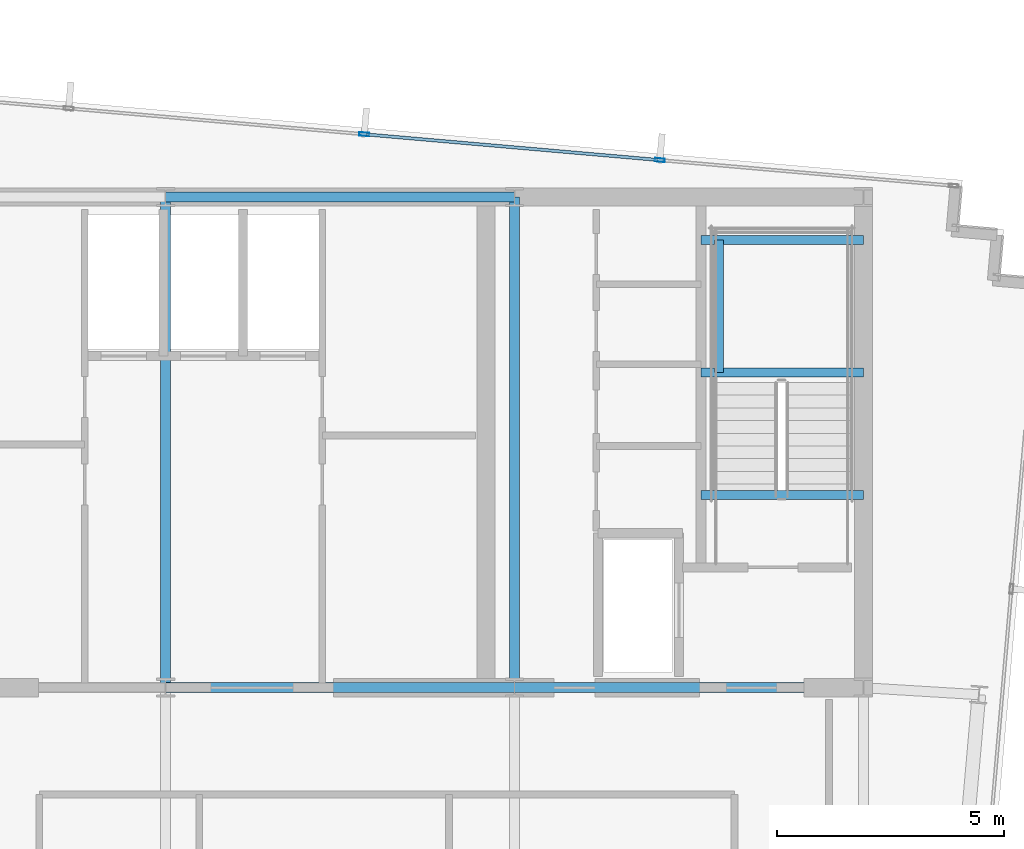
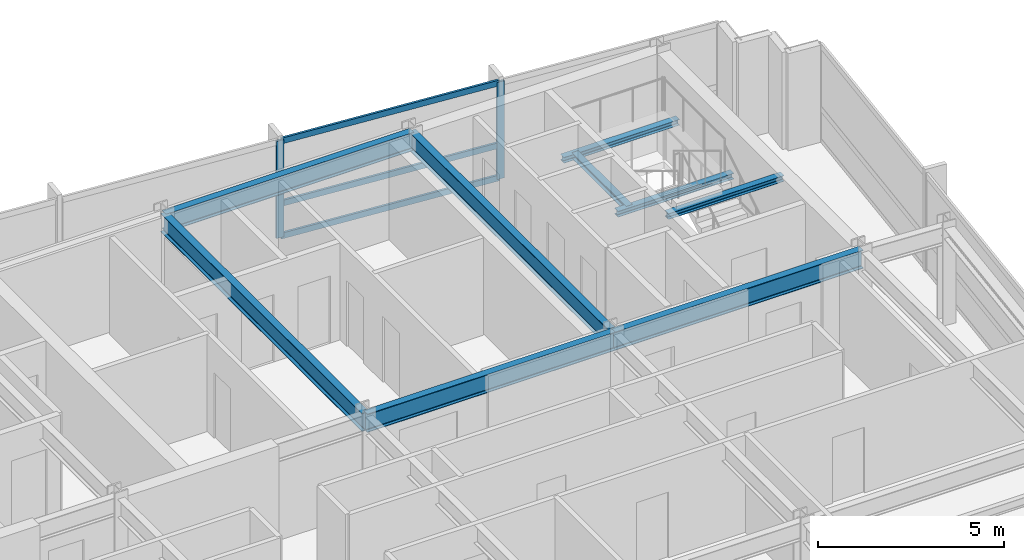
# One storey, part 13 of 24: 9 beams, 5 members, 1 element without a shape of its own.
"""IFC4 building model written with IfcOpenShell, lengths in metres."""

from ifc_helpers import new_model, si_unit, direction, frame, origin, origin_2d, place, context, subcontext, project, spatial, hollow_rectangle, i_section, extrude, material, material_profile, profile_set, type_object, element, aggregate, save


model = new_model("IFC4")

# Units and contexts
model_context = context("Model", 3, precision=1e-05, world=origin(), true_north=direction((0.0, 1.0)))
body_context = subcontext(model_context, "Body", "Model", "MODEL_VIEW")
ifc_project = project(units=[si_unit("LENGTHUNIT", "METRE"), si_unit("AREAUNIT", "SQUARE_METRE"), si_unit("VOLUMEUNIT", "CUBIC_METRE"), si_unit("PLANEANGLEUNIT", "RADIAN"), si_unit("MASSUNIT", "GRAM", prefix="KILO")], contexts=[model_context])

# Site, building, storey
site_placement = place(None, origin())
site = spatial("IfcSite", under=ifc_project, at=site_placement, CompositionType="ELEMENT")
building_placement = place(site_placement, origin())
building = spatial("IfcBuilding", under=site, at=building_placement, Name="Yelkora Congress Tower", CompositionType="ELEMENT")
storey_placement = place(building_placement, frame((0.0, 0.0, 296.5)))
storey = spatial("IfcBuildingStorey", under=building, at=storey_placement, Name="L83", CompositionType="ELEMENT", Elevation=296.5)

# Beams
ifc_material_1 = material(Name="Steel S355J2", Category="steel")
ifc_material_profile_1 = material_profile(ifc_material_1, i_section(OverallWidth=0.219970703125, OverallDepth=0.60009765625, WebThickness=0.011962890625, FlangeThickness=0.01904296875, FilletRadius=0.02392578125, at=origin_2d()), Name="IPE 600")
ifc_profile_set_1 = profile_set([ifc_material_profile_1], Name="Steel S355J2")
beam_type_1 = type_object("IfcBeamType", Name="BM-GIRD-IPE600", PredefinedType="BEAM", material=ifc_profile_set_1)
for number, where, z_axis, x_axis, name in (
    (1, (38.39990234375, 46.199951171875, 2.8798828125), (1.0, 0.0, 0.0), (0.0, 1.0, 0.0), "L83 Core North Girder 3"),
    (2, (38.39990234375, 35.39990234375, 2.8798828125), (1.0, 0.0, 0.0), (0.0, 1.0, 0.0), "L83 Core South Girder 3"),
):
    element("IfcBeam", number, at=place(storey_placement, frame(where, z_axis=z_axis, x_axis=x_axis)), inside=storey, type_object=beam_type_1, Name=name, PredefinedType="BEAM", context=body_context, shape_type="SweptSolid", body=[
        extrude(i_section(OverallWidth=0.219970703125, OverallDepth=0.60009765625, WebThickness=0.011962890625, FlangeThickness=0.01904296875, FilletRadius=0.02392578125, at=origin_2d()), origin(), (0.0, 0.0, 1.0), 7.68017578125),
    ])
beam_1_placement = place(storey_placement, frame((46.080078125, 35.39990234375, 2.8798828125), z_axis=(1.0, 0.0, 0.0), x_axis=(0.0, 1.0, 0.0)))
element("IfcBeam", 3, at=beam_1_placement, inside=storey, type_object=beam_type_1, Name="L83 Core South Girder 4", PredefinedType="BEAM", context=body_context, shape_type="SweptSolid", body=[
    extrude(i_section(OverallWidth=0.219970703125, OverallDepth=0.60009765625, WebThickness=0.011962890625, FlangeThickness=0.01904296875, FilletRadius=0.02392578125, at=origin_2d()), origin(), (0.0, 0.0, 1.0), 7.679931640625),
])
for number, where, z_axis, x_axis, name in (
    (4, (38.39990234375, 35.39990234375, 2.8798828125), (0.0, 1.0, 0.0), (-1.0, 0.0, 0.0), "L83 Core Tie Girder MC-S3"),
    (5, (46.080078125, 35.39990234375, 2.8798828125), (0.0, 1.0, 0.0), (-1.0, 0.0, 0.0), "L83 Core Tie Girder MC-S4"),
):
    element("IfcBeam", number, at=place(storey_placement, frame(where, z_axis=z_axis, x_axis=x_axis)), inside=storey, type_object=beam_type_1, Name=name, PredefinedType="BEAM", context=body_context, shape_type="SweptSolid", body=[
        extrude(i_section(OverallWidth=0.219970703125, OverallDepth=0.60009765625, WebThickness=0.011962890625, FlangeThickness=0.01904296875, FilletRadius=0.02392578125, at=origin_2d()), origin(), (0.0, 0.0, 1.0), 10.800048828125),
    ])
ifc_material_profile_2 = material_profile(ifc_material_1, i_section(OverallWidth=0.199951171875, OverallDepth=0.18994140625, WebThickness=0.006591796875, FlangeThickness=0.010009765625, FilletRadius=0.01806640625, at=origin_2d()), Name="HEA 200")
ifc_profile_set_2 = profile_set([ifc_material_profile_2], Name="Steel S355J2")
beam_type_2 = type_object("IfcBeamType", Name="BM-LAND-HEA200", PredefinedType="BEAM", material=ifc_profile_set_2)
for number, where, z_axis, x_axis, name in (
    (6, (50.179931640625, 42.340087890625, 1.384521484375), (1.0, 0.0, 0.0), (0.0, 1.0, 0.0), "ST-02 L83 Landing Header Beam 1S"),
    (7, (50.179931640625, 45.25, 1.384521484375), (1.0, 0.0, 0.0), (0.0, 1.0, 0.0), "ST-02 L83 Landing Header Beam 1N"),
):
    element("IfcBeam", number, at=place(storey_placement, frame(where, z_axis=z_axis, x_axis=x_axis)), inside=storey, type_object=beam_type_2, Name=name, PredefinedType="BEAM", context=body_context, shape_type="SweptSolid", body=[
        extrude(i_section(OverallWidth=0.199951171875, OverallDepth=0.18994140625, WebThickness=0.006591796875, FlangeThickness=0.010009765625, FilletRadius=0.01806640625, at=origin_2d()), origin(), (0.0, 0.0, 1.0), 3.580078125),
    ])
beam_2_placement = place(storey_placement, frame((50.580078125, 42.340087890625, 1.384521484375), z_axis=(0.0, 1.0, 0.0), x_axis=(-1.0, 0.0, 0.0)))
element("IfcBeam", 8, at=beam_2_placement, inside=storey, type_object=beam_type_2, Name="ST-02 L83 Landing Trimmer Beam 1M", PredefinedType="BEAM", context=body_context, shape_type="SweptSolid", body=[
    extrude(i_section(OverallWidth=0.199951171875, OverallDepth=0.18994140625, WebThickness=0.006591796875, FlangeThickness=0.010009765625, FilletRadius=0.01806640625, at=origin_2d()), origin(), (0.0, 0.0, 1.0), 2.909912109375),
])
beam_3_placement = place(storey_placement, frame((50.179931640625, 39.639892578125, 2.947509765625), z_axis=(1.0, 0.0, 0.0), x_axis=(0.0, 1.0, 0.0)))
element("IfcBeam", 9, at=beam_3_placement, inside=storey, type_object=beam_type_2, Name="ST-02 L83 Floor Arrival Stringer Header Beam", PredefinedType="BEAM", context=body_context, shape_type="SweptSolid", body=[
    extrude(i_section(OverallWidth=0.199951171875, OverallDepth=0.18994140625, WebThickness=0.006591796875, FlangeThickness=0.010009765625, FilletRadius=0.01806640625, at=origin_2d()), origin(), (0.0, 0.0, 1.0), 3.580078125),
])

# Curtain wall, members
ifc_material_2 = material(Name="Anodised aluminium and insulated glass", Category="aluminium")
curtain_wall_type = type_object("IfcCurtainWallType", Name="CW-SYS-SKY", PredefinedType="NOTDEFINED", material=ifc_material_2)
curtain_wall_placement = place(storey_placement, origin())
curtain_wall = element("IfcCurtainWall", 10, at=curtain_wall_placement, inside=storey, type_object=curtain_wall_type, Name="L83 Unitised Curtain Wall 10", PredefinedType="NOTDEFINED")
ifc_material_3 = material(Name="Anodised aluminium 6063-T6", Category="aluminium")
ifc_material_profile_3 = material_profile(ifc_material_3, hollow_rectangle(XDim=0.074951171875, YDim=0.219970703125, WallThickness=0.0048828125, at=origin_2d()), Name="ALU 75x220x5")
ifc_profile_set_3 = profile_set([ifc_material_profile_3], Name="Anodised aluminium 6063-T6")
member_type_1 = type_object("IfcMemberType", Name="MEM-ML-SKY", PredefinedType="MULLION", material=ifc_profile_set_3)
member_1_placement = place(storey_placement, frame((42.77294921875, 47.58154296875, 0.0), z_axis=(0.0, 0.0, 1.0), x_axis=(0.087156639893, 0.996194619601, 0.0)))
member_1 = element("IfcMember", 11, at=member_1_placement, type_object=member_type_1, Name="CW-SKY mullion 6", PredefinedType="MULLION", context=body_context, shape_type="SweptSolid", body=[
    extrude(hollow_rectangle(XDim=0.074951171875, YDim=0.219970703125, WallThickness=0.0048828125, at=origin_2d()), origin(), (0.0, 0.0, 1.0), 3.179931640625),
])
member_2_placement = place(storey_placement, frame((49.279541015625, 47.01220703125, 0.0), z_axis=(0.0, 0.0, 1.0), x_axis=(0.087156639893, 0.996194619601, 0.0)))
member_2 = element("IfcMember", 12, at=member_2_placement, type_object=member_type_1, Name="CW-SKY mullion 7", PredefinedType="MULLION", context=body_context, shape_type="SweptSolid", body=[
    extrude(hollow_rectangle(XDim=0.074951171875, YDim=0.219970703125, WallThickness=0.0048828125, at=origin_2d()), origin(), (0.0, 0.0, 1.0), 3.179931640625),
])
ifc_material_profile_4 = material_profile(ifc_material_3, hollow_rectangle(XDim=0.070068359375, YDim=0.18994140625, WallThickness=0.00390625, at=origin_2d()), Name="ALU 70x190x4")
ifc_profile_set_4 = profile_set([ifc_material_profile_4], Name="Anodised aluminium 6063-T6")
member_type_2 = type_object("IfcMemberType", Name="MEM-TR-SKY", PredefinedType="USERDEFINED", material=ifc_profile_set_4)
member_3_placement = place(storey_placement, frame((42.810302734375, 47.578125, 0.034912109375), z_axis=(0.996197615709, -0.0871223878, 0.0), x_axis=(0.0871223878, 0.996197615709, 0.0)))
member_3 = element("IfcMember", 13, at=member_3_placement, type_object=member_type_2, Name="CW-SKY transom 6.1", ObjectType="TRANSOM", PredefinedType="USERDEFINED", context=body_context, shape_type="SweptSolid", body=[
    extrude(hollow_rectangle(XDim=0.070068359375, YDim=0.18994140625, WallThickness=0.00390625, at=origin_2d()), origin(), (0.0, 0.0, 1.0), 6.45654296875),
])
member_4_placement = place(storey_placement, frame((42.810302734375, 47.578125, 1.10009765625), z_axis=(0.996197615709, -0.0871223878, 0.0), x_axis=(0.0871223878, 0.996197615709, 0.0)))
member_4 = element("IfcMember", 14, at=member_4_placement, type_object=member_type_2, Name="CW-SKY transom 6.2", ObjectType="TRANSOM", PredefinedType="USERDEFINED", context=body_context, shape_type="SweptSolid", body=[
    extrude(hollow_rectangle(XDim=0.070068359375, YDim=0.18994140625, WallThickness=0.00390625, at=origin_2d()), origin(), (0.0, 0.0, 1.0), 6.45654296875),
])
member_5_placement = place(storey_placement, frame((42.810302734375, 47.578125, 3.14501953125), z_axis=(0.996197615709, -0.0871223878, 0.0), x_axis=(0.0871223878, 0.996197615709, 0.0)))
member_5 = element("IfcMember", 15, at=member_5_placement, type_object=member_type_2, Name="CW-SKY transom 6.3", ObjectType="TRANSOM", PredefinedType="USERDEFINED", context=body_context, shape_type="SweptSolid", body=[
    extrude(hollow_rectangle(XDim=0.070068359375, YDim=0.18994140625, WallThickness=0.00390625, at=origin_2d()), origin(), (0.0, 0.0, 1.0), 6.45654296875),
])
aggregate(curtain_wall, [member_1, member_2, member_3, member_4, member_5])

save(model, "model.ifc")
